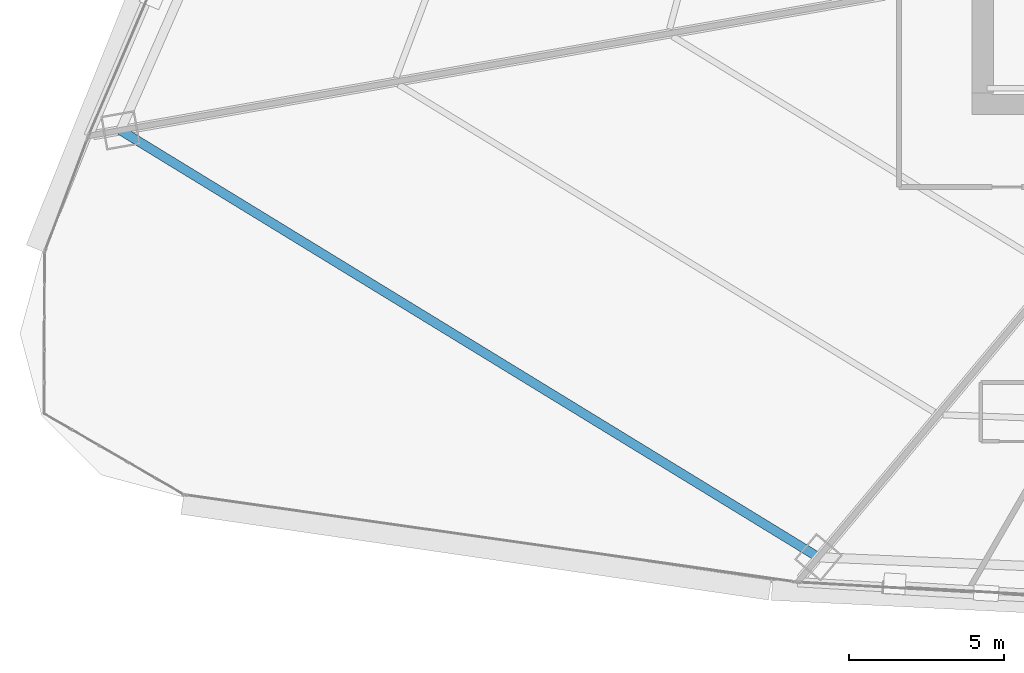
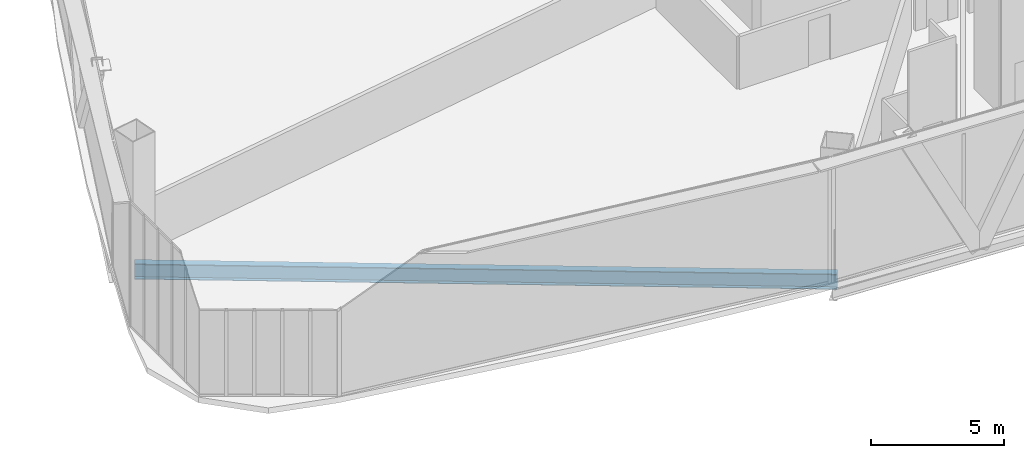
# One storey, part 5 of 41: 1 beam.
"""IFC4 building model written with IfcOpenShell, lengths in metres."""

import ifcopenshell
import ifcopenshell.guid

model = None  # the IFC model being written
_history = None  # IfcOwnerHistory: only IFC2X3 demands one
_inside = {}  # id of a spatial element -> (the spatial element, [elements in it])
_under = {}  # id of a project, library or spatial element -> (it, [spatial elements below it])
_declared = {}  # id of a project -> (the project, [libraries it declares])
_typed = {}  # id of a type object -> (the type object, [elements of that type])
_made_of = {}  # id of a material, layer set ... -> (it, [elements and type objects made of it])


def new_model(schema):
    """Start an empty IFC model of exactly this schema.

    Asked for "IFC4X3", IfcOpenShell would pick the latest addendum, in which some entities
    have other attributes; the version numbers below select the first issue.
    IFC2X3 requires an IfcOwnerHistory on every rooted entity: one is made here for all.
    """
    global model, _history
    if schema == "IFC4X3":
        model = ifcopenshell.file(schema_version=(4, 3, 0, 0))
    else:
        model = ifcopenshell.file(schema=schema)
    _inside.clear()
    _under.clear()
    _declared.clear()
    _typed.clear()
    _made_of.clear()
    _history = None
    if model.schema == "IFC2X3":
        org = make("IfcOrganization", Name="unknown")
        user = make(
            "IfcPersonAndOrganization",
            ThePerson=make("IfcPerson", FamilyName="unknown"),
            TheOrganization=org,
        )
        app = make(
            "IfcApplication",
            ApplicationDeveloper=org,
            Version="unknown",
            ApplicationFullName="unknown",
            ApplicationIdentifier="unknown",
        )
        _history = make(
            "IfcOwnerHistory",
            OwningUser=user,
            OwningApplication=app,
            ChangeAction="ADDED",
            CreationDate=0,
        )
    return model


def make(cls, **values):
    """One entity of the class cls with the attributes given. An attribute that is None is left unset."""
    return model.create_entity(
        cls, **{name: value for name, value in values.items() if value is not None}
    )


def rooted(cls, **values):
    """An entity with a GlobalId (a new one), such as an element, a storey or a relation."""
    return make(cls, GlobalId=ifcopenshell.guid.new(), OwnerHistory=_history, **values)


def si_unit(unit_type, name, prefix=None):
    """IfcSIUnit, for example si_unit("LENGTHUNIT", "METRE", prefix="MILLI")."""
    return make("IfcSIUnit", UnitType=unit_type, Prefix=prefix, Name=name)


def assignment(units):
    """IfcUnitAssignment: the units of a project."""
    return None if units is None else make("IfcUnitAssignment", Units=units)


def point(xyz):
    """IfcCartesianPoint."""
    return None if xyz is None else make("IfcCartesianPoint", Coordinates=xyz)


def direction(xyz):
    """IfcDirection."""
    return None if xyz is None else make("IfcDirection", DirectionRatios=xyz)


def frame(location, z_axis=None, x_axis=None):
    """IfcAxis2Placement3D, a coordinate frame: its origin and axes. An axis left out is left unset."""
    return make(
        "IfcAxis2Placement3D",
        Location=point(location),
        Axis=direction(z_axis),
        RefDirection=direction(x_axis),
    )


def frame_2d(location, x_axis=None):
    """IfcAxis2Placement2D, a coordinate frame in the plane: its origin and x axis."""
    return make(
        "IfcAxis2Placement2D", Location=point(location), RefDirection=direction(x_axis)
    )


def origin():
    """The frame at (0, 0, 0) with its axes left unset."""
    return frame((0.0, 0.0, 0.0))


def origin_2d():
    """The frame at (0, 0) in the plane with its x axis left unset."""
    return frame_2d((0.0, 0.0))


def place(relative_to, where):
    """IfcLocalPlacement: puts the frame where relative to a parent placement (None: the world)."""
    return make(
        "IfcLocalPlacement", PlacementRelTo=relative_to, RelativePlacement=where
    )


def context(
    kind, dimensions, precision=None, world=None, true_north=None, identifier=None
):
    """IfcGeometricRepresentationContext, for example the 3D "Model" context."""
    return make(
        "IfcGeometricRepresentationContext",
        ContextIdentifier=identifier,
        ContextType=kind,
        CoordinateSpaceDimension=dimensions,
        Precision=precision,
        WorldCoordinateSystem=world,
        TrueNorth=true_north,
    )


def subcontext(parent, identifier, kind, view, scale=None):
    """IfcGeometricRepresentationSubContext, for example "Body" below "Model"."""
    return make(
        "IfcGeometricRepresentationSubContext",
        ContextIdentifier=identifier,
        ContextType=kind,
        ParentContext=parent,
        TargetScale=scale,
        TargetView=view,
    )


def project(units=None, contexts=None):
    """IfcProject with its units and contexts."""
    return rooted(
        "IfcProject",
        Name="project",
        RepresentationContexts=contexts,
        UnitsInContext=assignment(units),
    )


def spatial(cls, under=None, at=None, **own):
    """A site, building, storey or space (cls), placed at a placement, below another one or the project."""
    s = rooted(cls, ObjectPlacement=at, **own)
    if under is not None:
        _under.setdefault(under.id(), (under, []))[1].append(s)
    return s


def profile(cls, at=None, kind="AREA", **sizes):
    """A parametric profile (cls). Its sizes go by their IFC names, for example OverallWidth=200.0."""
    return make(cls, ProfileType=kind, Position=at, **sizes)


def i_section(**sizes):
    """IfcIShapeProfileDef."""
    return profile("IfcIShapeProfileDef", **sizes)


def extrude(swept, where, along, depth):
    """IfcExtrudedAreaSolid: the profile swept, set in the frame where, extruded along a direction by depth."""
    return make(
        "IfcExtrudedAreaSolid",
        SweptArea=swept,
        Position=where,
        ExtrudedDirection=direction(along),
        Depth=depth,
    )


def shape(context_of_items, identifier, shape_type, items):
    """IfcShapeRepresentation: the items that make up one representation, for example the "Body"."""
    return make(
        "IfcShapeRepresentation",
        ContextOfItems=context_of_items,
        RepresentationIdentifier=identifier,
        RepresentationType=shape_type,
        Items=items,
    )


def source(mapping_origin, context_of_items, identifier, shape_type, items):
    """IfcRepresentationMap: a shape defined once, which mapped items show again and again."""
    return make(
        "IfcRepresentationMap",
        MappingOrigin=mapping_origin,
        MappedRepresentation=shape(context_of_items, identifier, shape_type, items),
    )


def transform(
    local_origin,
    x_axis=None,
    y_axis=None,
    z_axis=None,
    scale=None,
    scale2=None,
    scale3=None,
    uniform=True,
):
    """IfcCartesianTransformationOperator3D, or its non-uniform kind. x_axis, y_axis, z_axis: its Axis1, 2, 3."""
    if uniform:
        return make(
            "IfcCartesianTransformationOperator3D",
            Axis1=direction(x_axis),
            Axis2=direction(y_axis),
            LocalOrigin=point(local_origin),
            Scale=scale,
            Axis3=direction(z_axis),
        )
    return make(
        "IfcCartesianTransformationOperator3DnonUniform",
        Axis1=direction(x_axis),
        Axis2=direction(y_axis),
        LocalOrigin=point(local_origin),
        Scale=scale,
        Axis3=direction(z_axis),
        Scale2=scale2,
        Scale3=scale3,
    )


def mapped(mapping_source, mapping_target):
    """IfcMappedItem: shows the shape of a source again, moved by a transform."""
    return make(
        "IfcMappedItem", MappingSource=mapping_source, MappingTarget=mapping_target
    )


def material(Name=None, Category=None):
    """IfcMaterial."""
    return make("IfcMaterial", Name=Name, Category=Category)


def material_profile(
    of_material, cross_section, Name=None, Category=None, Priority=None
):
    """IfcMaterialProfile: a cross section and its material."""
    return make(
        "IfcMaterialProfile",
        Name=Name,
        Material=of_material,
        Profile=cross_section,
        Priority=Priority,
        Category=Category,
    )


def profile_set(profiles, Name=None, composite=None):
    """IfcMaterialProfileSet."""
    return make(
        "IfcMaterialProfileSet",
        Name=Name,
        MaterialProfiles=profiles,
        CompositeProfile=composite,
    )


def made_of(thing, what):
    """Note that an element or type object is made of a material, layer set ...; save() writes the relation."""
    if what is not None:
        _made_of.setdefault(what.id(), (what, []))[1].append(thing)
    return thing


def type_object(cls, material=None, **own):
    """A type object (cls), such as IfcWallType, which elements share."""
    return made_of(rooted(cls, **own), material)


def element(
    cls,
    number,
    at=None,
    inside=None,
    cuts=None,
    type_object=None,
    material=None,
    context=None,
    identifier="Body",
    shape_type=None,
    held_by="IfcProductDefinitionShape",
    body=None,
    shapes=None,
    **own,
):
    """One element of the class cls, such as IfcWall. Its Tag is "e" and its number.

    at: its placement. inside: the storey or other place that contains it. cuts: it is an
    opening in that element (IfcRelVoidsElement). A single representation is given by context,
    identifier, shape_type and body (its items); several are given by shapes. held_by: the class
    of the entity that holds the representations. save() writes the other relations.
    """
    e = rooted(cls, Tag="e%d" % number, ObjectPlacement=at, **own)
    if body is not None:
        shapes = [shape(context, identifier, shape_type, body)]
    if shapes is not None:
        e.Representation = make(held_by, Representations=shapes)
    if inside is not None:
        _inside.setdefault(inside.id(), (inside, []))[1].append(e)
    if cuts is not None:
        rooted(
            "IfcRelVoidsElement", RelatingBuildingElement=cuts, RelatedOpeningElement=e
        )
    if type_object is not None:
        _typed.setdefault(type_object.id(), (type_object, []))[1].append(e)
    return made_of(e, material)


def aggregate(whole, parts):
    """IfcRelAggregates: a whole, such as a stair, and the parts it consists of."""
    return rooted("IfcRelAggregates", RelatingObject=whole, RelatedObjects=parts)


def save(model, path):
    """Write the relations noted so far, then the file.

    IfcRelAggregates (storeys below a building ...), IfcRelContainedInSpatialStructure (elements
    in a storey), IfcRelDefinesByType, IfcRelAssociatesMaterial and IfcRelDeclares: one each for
    every whole, place, type object, material and project.
    """
    for whole, parts in _under.values():
        aggregate(whole, parts)
    for where, things in _inside.values():
        rooted(
            "IfcRelContainedInSpatialStructure",
            RelatedElements=things,
            RelatingStructure=where,
        )
    for kind, things in _typed.values():
        rooted("IfcRelDefinesByType", RelatedObjects=things, RelatingType=kind)
    for what, things in _made_of.values():
        rooted("IfcRelAssociatesMaterial", RelatedObjects=things, RelatingMaterial=what)
    for by, libraries in _declared.values():
        rooted("IfcRelDeclares", RelatingContext=by, RelatedDefinitions=libraries)
    model.write(path)


model = new_model("IFC4")

# Units and contexts
model_context = context("Model", 3, precision=1e-05, world=origin(), true_north=direction((0.0, 1.0)))
body_context = subcontext(model_context, "Body", "Model", "MODEL_VIEW")
ifc_project = project(units=[si_unit("LENGTHUNIT", "METRE"), si_unit("AREAUNIT", "SQUARE_METRE"), si_unit("VOLUMEUNIT", "CUBIC_METRE"), si_unit("PLANEANGLEUNIT", "RADIAN"), si_unit("MASSUNIT", "GRAM", prefix="KILO"), si_unit("THERMODYNAMICTEMPERATUREUNIT", "KELVIN"), si_unit("POWERUNIT", "WATT")], contexts=[model_context])

# Site, building, storey
site_placement = place(None, origin())
site = spatial("IfcSite", under=ifc_project, at=site_placement, CompositionType="ELEMENT")
building_placement = place(site_placement, origin())
building = spatial("IfcBuilding", under=site, at=building_placement, Name="Yunzhuo Pagoda Commons", CompositionType="ELEMENT")
storey_placement = place(building_placement, frame((0.0, 0.0, 70.330078125)))
storey = spatial("IfcBuildingStorey", under=building, at=storey_placement, Name="L18", CompositionType="ELEMENT", Elevation=70.330078125)

# Beam
ifc_material = material(Name="Structural steel Q355B", Category="steel")
ifc_material_profile = material_profile(ifc_material, i_section(OverallWidth=0.300048828125, OverallDepth=0.699951171875, WebThickness=0.012939453125, FlangeThickness=0.02392578125, at=origin_2d()), Name="Structural steel Q355B")
ifc_profile_set = profile_set([ifc_material_profile], Name="Structural steel Q355B")
beam_type = type_object("IfcBeamType", Name="B-RG1 Beam HN 700x300x13x24", PredefinedType="BEAM", material=ifc_profile_set)
shared_shape = source(origin(), body_context, "Body", "SweptSolid", [
    extrude(i_section(OverallWidth=0.300048828125, OverallDepth=0.699951171875, WebThickness=0.012939453125, FlangeThickness=0.02392578125, at=origin_2d()), origin(), (0.0, 0.0, 1.0), 26.432373046875),
])
beam_placement = place(storey_placement, frame((7.952392578125, 26.638427734375, -0.610107421875), z_axis=(0.853031728928, -0.521859051318, 0.0), x_axis=(0.521859051318, 0.853031728928, 0.0)))
element("IfcBeam", 1, at=beam_placement, inside=storey, type_object=beam_type, Name="L18 column-ring beam 12", PredefinedType="BEAM", context=body_context, shape_type="MappedRepresentation", body=[
    mapped(shared_shape, transform((0.0, 0.0, 0.0), scale=1.0)),
])

save(model, "model.ifc")
